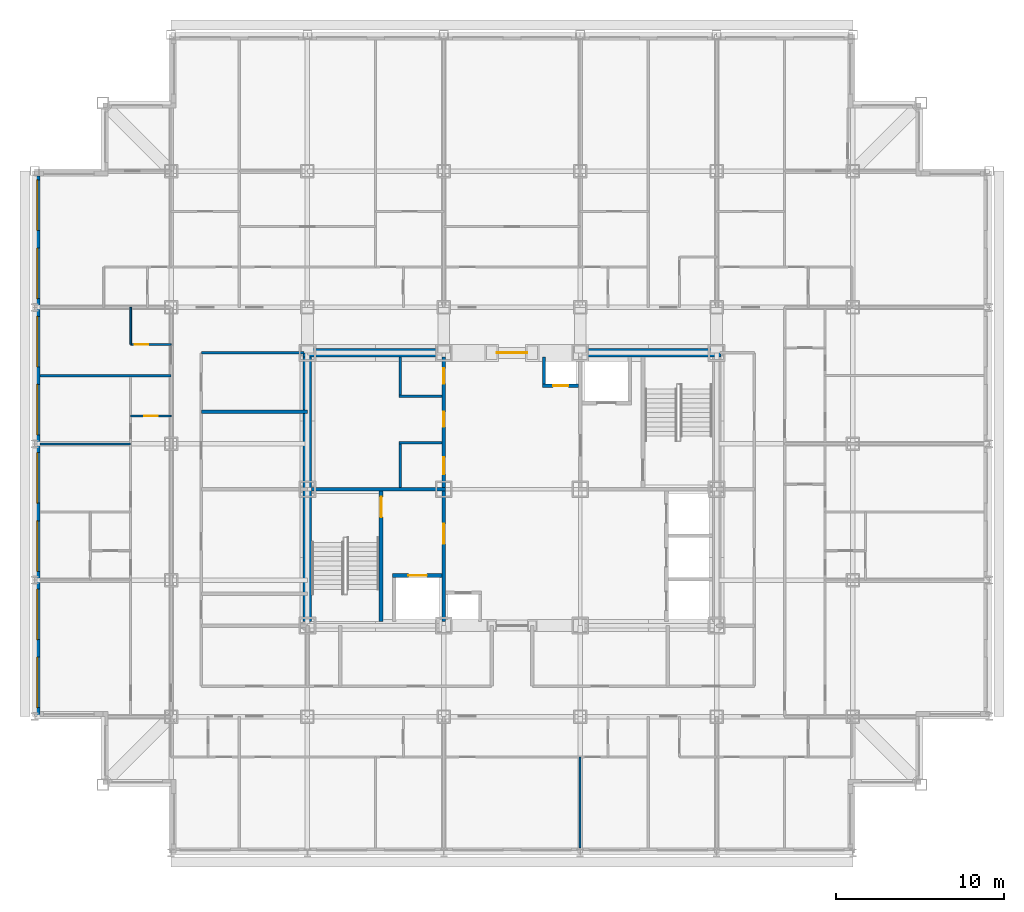
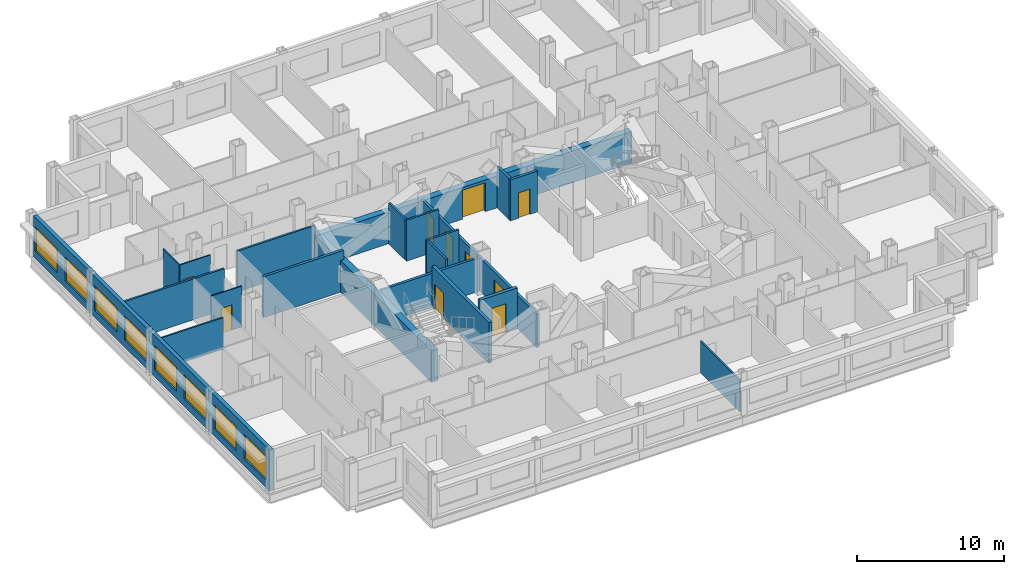
# One storey, part 6 of 12: 22 walls, 10 doors, 8 windows, 18 openings.
"""IFC4 building model written with IfcOpenShell, lengths in metres."""

import ifcopenshell
import ifcopenshell.guid

model = None  # the IFC model being written
_history = None  # IfcOwnerHistory: only IFC2X3 demands one
_inside = {}  # id of a spatial element -> (the spatial element, [elements in it])
_under = {}  # id of a project, library or spatial element -> (it, [spatial elements below it])
_declared = {}  # id of a project -> (the project, [libraries it declares])
_typed = {}  # id of a type object -> (the type object, [elements of that type])
_made_of = {}  # id of a material, layer set ... -> (it, [elements and type objects made of it])


def new_model(schema):
    """Start an empty IFC model of exactly this schema.

    Asked for "IFC4X3", IfcOpenShell would pick the latest addendum, in which some entities
    have other attributes; the version numbers below select the first issue.
    IFC2X3 requires an IfcOwnerHistory on every rooted entity: one is made here for all.
    """
    global model, _history
    if schema == "IFC4X3":
        model = ifcopenshell.file(schema_version=(4, 3, 0, 0))
    else:
        model = ifcopenshell.file(schema=schema)
    _inside.clear()
    _under.clear()
    _declared.clear()
    _typed.clear()
    _made_of.clear()
    _history = None
    if model.schema == "IFC2X3":
        org = make("IfcOrganization", Name="unknown")
        user = make(
            "IfcPersonAndOrganization",
            ThePerson=make("IfcPerson", FamilyName="unknown"),
            TheOrganization=org,
        )
        app = make(
            "IfcApplication",
            ApplicationDeveloper=org,
            Version="unknown",
            ApplicationFullName="unknown",
            ApplicationIdentifier="unknown",
        )
        _history = make(
            "IfcOwnerHistory",
            OwningUser=user,
            OwningApplication=app,
            ChangeAction="ADDED",
            CreationDate=0,
        )
    return model


def make(cls, **values):
    """One entity of the class cls with the attributes given. An attribute that is None is left unset."""
    return model.create_entity(
        cls, **{name: value for name, value in values.items() if value is not None}
    )


def rooted(cls, **values):
    """An entity with a GlobalId (a new one), such as an element, a storey or a relation."""
    return make(cls, GlobalId=ifcopenshell.guid.new(), OwnerHistory=_history, **values)


def si_unit(unit_type, name, prefix=None):
    """IfcSIUnit, for example si_unit("LENGTHUNIT", "METRE", prefix="MILLI")."""
    return make("IfcSIUnit", UnitType=unit_type, Prefix=prefix, Name=name)


def assignment(units):
    """IfcUnitAssignment: the units of a project."""
    return None if units is None else make("IfcUnitAssignment", Units=units)


def point(xyz):
    """IfcCartesianPoint."""
    return None if xyz is None else make("IfcCartesianPoint", Coordinates=xyz)


def direction(xyz):
    """IfcDirection."""
    return None if xyz is None else make("IfcDirection", DirectionRatios=xyz)


def frame(location, z_axis=None, x_axis=None):
    """IfcAxis2Placement3D, a coordinate frame: its origin and axes. An axis left out is left unset."""
    return make(
        "IfcAxis2Placement3D",
        Location=point(location),
        Axis=direction(z_axis),
        RefDirection=direction(x_axis),
    )


def frame_2d(location, x_axis=None):
    """IfcAxis2Placement2D, a coordinate frame in the plane: its origin and x axis."""
    return make(
        "IfcAxis2Placement2D", Location=point(location), RefDirection=direction(x_axis)
    )


def origin():
    """The frame at (0, 0, 0) with its axes left unset."""
    return frame((0.0, 0.0, 0.0))


def place(relative_to, where):
    """IfcLocalPlacement: puts the frame where relative to a parent placement (None: the world)."""
    return make(
        "IfcLocalPlacement", PlacementRelTo=relative_to, RelativePlacement=where
    )


def context(
    kind, dimensions, precision=None, world=None, true_north=None, identifier=None
):
    """IfcGeometricRepresentationContext, for example the 3D "Model" context."""
    return make(
        "IfcGeometricRepresentationContext",
        ContextIdentifier=identifier,
        ContextType=kind,
        CoordinateSpaceDimension=dimensions,
        Precision=precision,
        WorldCoordinateSystem=world,
        TrueNorth=true_north,
    )


def subcontext(parent, identifier, kind, view, scale=None):
    """IfcGeometricRepresentationSubContext, for example "Body" below "Model"."""
    return make(
        "IfcGeometricRepresentationSubContext",
        ContextIdentifier=identifier,
        ContextType=kind,
        ParentContext=parent,
        TargetScale=scale,
        TargetView=view,
    )


def project(units=None, contexts=None):
    """IfcProject with its units and contexts."""
    return rooted(
        "IfcProject",
        Name="project",
        RepresentationContexts=contexts,
        UnitsInContext=assignment(units),
    )


def spatial(cls, under=None, at=None, **own):
    """A site, building, storey or space (cls), placed at a placement, below another one or the project."""
    s = rooted(cls, ObjectPlacement=at, **own)
    if under is not None:
        _under.setdefault(under.id(), (under, []))[1].append(s)
    return s


def profile(cls, at=None, kind="AREA", **sizes):
    """A parametric profile (cls). Its sizes go by their IFC names, for example OverallWidth=200.0."""
    return make(cls, ProfileType=kind, Position=at, **sizes)


def rectangle(**sizes):
    """IfcRectangleProfileDef."""
    return profile("IfcRectangleProfileDef", **sizes)


def extrude(swept, where, along, depth):
    """IfcExtrudedAreaSolid: the profile swept, set in the frame where, extruded along a direction by depth."""
    return make(
        "IfcExtrudedAreaSolid",
        SweptArea=swept,
        Position=where,
        ExtrudedDirection=direction(along),
        Depth=depth,
    )


def shape(context_of_items, identifier, shape_type, items):
    """IfcShapeRepresentation: the items that make up one representation, for example the "Body"."""
    return make(
        "IfcShapeRepresentation",
        ContextOfItems=context_of_items,
        RepresentationIdentifier=identifier,
        RepresentationType=shape_type,
        Items=items,
    )


def material(Name=None, Category=None):
    """IfcMaterial."""
    return make("IfcMaterial", Name=Name, Category=Category)


def layer(
    of_material, thickness, ventilated=None, Name=None, Category=None, Priority=None
):
    """IfcMaterialLayer: one layer of a wall or slab, of a material (None: an air gap)."""
    return make(
        "IfcMaterialLayer",
        Material=of_material,
        LayerThickness=thickness,
        IsVentilated=ventilated,
        Name=Name,
        Category=Category,
        Priority=Priority,
    )


def layer_set(layers, Name=None):
    """IfcMaterialLayerSet."""
    return make("IfcMaterialLayerSet", MaterialLayers=layers, LayerSetName=Name)


def made_of(thing, what):
    """Note that an element or type object is made of a material, layer set ...; save() writes the relation."""
    if what is not None:
        _made_of.setdefault(what.id(), (what, []))[1].append(thing)
    return thing


def type_object(cls, material=None, **own):
    """A type object (cls), such as IfcWallType, which elements share."""
    return made_of(rooted(cls, **own), material)


def element(
    cls,
    number,
    at=None,
    inside=None,
    cuts=None,
    type_object=None,
    material=None,
    context=None,
    identifier="Body",
    shape_type=None,
    held_by="IfcProductDefinitionShape",
    body=None,
    shapes=None,
    **own,
):
    """One element of the class cls, such as IfcWall. Its Tag is "e" and its number.

    at: its placement. inside: the storey or other place that contains it. cuts: it is an
    opening in that element (IfcRelVoidsElement). A single representation is given by context,
    identifier, shape_type and body (its items); several are given by shapes. held_by: the class
    of the entity that holds the representations. save() writes the other relations.
    """
    e = rooted(cls, Tag="e%d" % number, ObjectPlacement=at, **own)
    if body is not None:
        shapes = [shape(context, identifier, shape_type, body)]
    if shapes is not None:
        e.Representation = make(held_by, Representations=shapes)
    if inside is not None:
        _inside.setdefault(inside.id(), (inside, []))[1].append(e)
    if cuts is not None:
        rooted(
            "IfcRelVoidsElement", RelatingBuildingElement=cuts, RelatedOpeningElement=e
        )
    if type_object is not None:
        _typed.setdefault(type_object.id(), (type_object, []))[1].append(e)
    return made_of(e, material)


def fill(opening, filler):
    """IfcRelFillsElement: the door or window that sits in an opening."""
    return rooted(
        "IfcRelFillsElement",
        RelatingOpeningElement=opening,
        RelatedBuildingElement=filler,
    )


def aggregate(whole, parts):
    """IfcRelAggregates: a whole, such as a stair, and the parts it consists of."""
    return rooted("IfcRelAggregates", RelatingObject=whole, RelatedObjects=parts)


def save(model, path):
    """Write the relations noted so far, then the file.

    IfcRelAggregates (storeys below a building ...), IfcRelContainedInSpatialStructure (elements
    in a storey), IfcRelDefinesByType, IfcRelAssociatesMaterial and IfcRelDeclares: one each for
    every whole, place, type object, material and project.
    """
    for whole, parts in _under.values():
        aggregate(whole, parts)
    for where, things in _inside.values():
        rooted(
            "IfcRelContainedInSpatialStructure",
            RelatedElements=things,
            RelatingStructure=where,
        )
    for kind, things in _typed.values():
        rooted("IfcRelDefinesByType", RelatedObjects=things, RelatingType=kind)
    for what, things in _made_of.values():
        rooted("IfcRelAssociatesMaterial", RelatedObjects=things, RelatingMaterial=what)
    for by, libraries in _declared.values():
        rooted("IfcRelDeclares", RelatingContext=by, RelatedDefinitions=libraries)
    model.write(path)


model = new_model("IFC4")

# Units and contexts
model_context = context("Model", 3, precision=1e-05, world=origin(), true_north=direction((0.0, 1.0)))
body_context = subcontext(model_context, "Body", "Model", "MODEL_VIEW")
ifc_project = project(units=[si_unit("LENGTHUNIT", "METRE"), si_unit("AREAUNIT", "SQUARE_METRE"), si_unit("VOLUMEUNIT", "CUBIC_METRE"), si_unit("PLANEANGLEUNIT", "RADIAN"), si_unit("MASSUNIT", "GRAM", prefix="KILO")], contexts=[model_context])

# Site, building, storey
site_placement = place(None, origin())
site = spatial("IfcSite", under=ifc_project, at=site_placement, CompositionType="ELEMENT")
building_placement = place(site_placement, origin())
building = spatial("IfcBuilding", under=site, at=building_placement, Name="Kopane Lantern Tower", CompositionType="ELEMENT")
storey_placement = place(building_placement, frame((0.0, 0.0, 228.0)))
storey = spatial("IfcBuildingStorey", under=building, at=storey_placement, Name="L59", CompositionType="ELEMENT", Elevation=228.0)

# Walls
ifc_material_1 = material(Name="Gypsum board on steel studs", Category="steel")
ifc_layer_1 = layer(ifc_material_1, 0.1201171875)
ifc_layer_set_1 = layer_set([ifc_layer_1], Name="APARTMENT INTERNAL WALL 120")
wall_type_1 = type_object("IfcWallType", Name="APARTMENT INTERNAL WALL 120", PredefinedType="PARTITIONING", material=ifc_layer_set_1)
for number, where, z_axis, x_axis, name in (
    (1, (32.39990234375, 16.5, 0.0), (0.0, 0.0, 1.0), (0.0, -1.0, 0.0), "Apartment Internal Wall 120 L59"),
    (2, (5.699951171875, 35.10009765625, 0.0), (0.0, 0.0, 1.0), (-1.0, 0.0, 0.0), "Apartment Internal Wall 120 L59"),
):
    element("IfcWall", number, at=place(storey_placement, frame(where, z_axis=z_axis, x_axis=x_axis)), inside=storey, type_object=wall_type_1, Name=name, PredefinedType="PARTITIONING", context=body_context, shape_type="SweptSolid", body=[
        extrude(rectangle(XDim=5.39990234375, YDim=0.1201171875, at=frame_2d((2.699951171875, 0.0))), origin(), (0.0, 0.0, 1.0), 2.627685546875),
    ])

# Wall, opening, door
ifc_material_2 = material(Name="Moisture-resistant board on steel studs", Category="steel")
ifc_layer_2 = layer(ifc_material_2, 0.10009765625)
ifc_layer_set_2 = layer_set([ifc_layer_2], Name="BATHROOM WALL 100")
wall_type_2 = type_object("IfcWallType", Name="BATHROOM WALL 100", PredefinedType="PARTITIONING", material=ifc_layer_set_2)
wall_1_placement = place(storey_placement, frame((8.10009765625, 36.75, 0.0), z_axis=(0.0, 0.0, 1.0), x_axis=(-1.0, 0.0, 0.0)))
wall_1 = element("IfcWall", 3, at=wall_1_placement, inside=storey, type_object=wall_type_2, Name="Bathroom Wall 100 L59", PredefinedType="PARTITIONING", context=body_context, shape_type="SweptSolid", body=[
    extrude(rectangle(XDim=2.400146484375, YDim=0.10009765625, at=frame_2d((1.2001953125, 0.0))), origin(), (0.0, 0.0, 1.0), 3.389892578125),
])
opening_1_placement = place(wall_1_placement, frame((0.800048828125, 0.0, 0.0)))
opening_1 = element("IfcOpeningElement", 4, at=opening_1_placement, cuts=wall_1, Name="Opening L59-032", PredefinedType="OPENING", context=body_context, shape_type="SweptSolid", body=[
    extrude(rectangle(XDim=0.800048828125, YDim=2.10009765625, at=frame_2d((0.39990234375, 1.050048828125))), frame((0.0, 0.06005859375, 0.0), z_axis=(0.0, -1.0, 0.0), x_axis=(1.0, 0.0, 0.0)), (0.0, 0.0, 1.0), 0.1201171875),
])
ifc_material_3 = material(Name="Timber door set", Category="wood")
door_type_1 = type_object("IfcDoorType", Name="DOOR D2 800x2100", OperationType="SINGLE_SWING_LEFT", PredefinedType="DOOR", material=ifc_material_3)
door_1_placement = place(opening_1_placement, origin())
door_1 = element("IfcDoor", 5, at=door_1_placement, inside=storey, type_object=door_type_1, Name="Door L59-032", OperationType="SINGLE_SWING_RIGHT", OverallHeight=2.10009765625, OverallWidth=0.800048828125, PredefinedType="DOOR", context=body_context, shape_type="SweptSolid", body=[
    extrude(rectangle(XDim=0.800048828125, YDim=2.10009765625, at=frame_2d((0.39990234375, 1.050048828125))), frame((0.0, 0.02490234375, 0.0), z_axis=(0.0, -1.0, 0.0), x_axis=(1.0, 0.0, 0.0)), (0.0, 0.0, 1.0), 0.050048828125),
])
fill(opening_1, door_1)

# Wall
wall_2_placement = place(storey_placement, frame((5.699951171875, 41.0, 0.0), z_axis=(0.0, 0.0, 1.0), x_axis=(0.0, 1.0, 0.0)))
element("IfcWall", 6, at=wall_2_placement, inside=storey, type_object=wall_type_2, Name="Bathroom Wall 100 L59", PredefinedType="PARTITIONING", context=body_context, shape_type="SweptSolid", body=[
    extrude(rectangle(XDim=2.199951171875, YDim=0.10009765625, at=frame_2d((1.10009765625, 0.0))), origin(), (0.0, 0.0, 1.0), 3.389892578125),
])

# Wall, opening, door
wall_3_placement = place(storey_placement, frame((8.10009765625, 41.0, 0.0), z_axis=(0.0, 0.0, 1.0), x_axis=(-1.0, 0.0, 0.0)))
wall_3 = element("IfcWall", 7, at=wall_3_placement, inside=storey, type_object=wall_type_2, Name="Bathroom Wall 100 L59", PredefinedType="PARTITIONING", context=body_context, shape_type="SweptSolid", body=[
    extrude(rectangle(XDim=2.400146484375, YDim=0.10009765625, at=frame_2d((1.2001953125, 0.0))), origin(), (0.0, 0.0, 1.0), 3.389892578125),
])
opening_2_placement = place(wall_3_placement, frame((1.35009765625, 0.0, 0.0)))
opening_2 = element("IfcOpeningElement", 8, at=opening_2_placement, cuts=wall_3, Name="Opening L59-039", PredefinedType="OPENING", context=body_context, shape_type="SweptSolid", body=[
    extrude(rectangle(XDim=0.800048828125, YDim=2.10009765625, at=frame_2d((0.39990234375, 1.050048828125))), frame((0.0, 0.06005859375, 0.0), z_axis=(0.0, -1.0, 0.0), x_axis=(1.0, 0.0, 0.0)), (0.0, 0.0, 1.0), 0.1201171875),
])
door_2_placement = place(opening_2_placement, origin())
door_2 = element("IfcDoor", 9, at=door_2_placement, inside=storey, type_object=door_type_1, Name="Door L59-039", OperationType="SINGLE_SWING_LEFT", OverallHeight=2.10009765625, OverallWidth=0.800048828125, PredefinedType="DOOR", context=body_context, shape_type="SweptSolid", body=[
    extrude(rectangle(XDim=0.800048828125, YDim=2.10009765625, at=frame_2d((0.39990234375, 1.050048828125))), frame((0.0, 0.02490234375, 0.0), z_axis=(0.0, -1.0, 0.0), x_axis=(1.0, 0.0, 0.0)), (0.0, 0.0, 1.0), 0.050048828125),
])
fill(opening_2, door_2)

ifc_material_4 = material(Name="Gypsum shaft wall EI 120", Category="gypsum")
ifc_layer_3 = layer(ifc_material_4, 0.5)
ifc_layer_set_3 = layer_set([ifc_layer_3], Name="CORE PERIMETER WALL 500 EI 120")
wall_type_3 = type_object("IfcWallType", Name="CORE PERIMETER WALL 500 EI 120", PredefinedType="SOLIDWALL", material=ifc_layer_set_3)
wall_4_placement = place(storey_placement, frame((15.949951171875, 40.5, 0.0), z_axis=(0.0, 0.0, 1.0), x_axis=(1.0, 0.0, 0.0)))
wall_4 = element("IfcWall", 10, at=wall_4_placement, inside=storey, type_object=wall_type_3, Name="Core shaft wall L59 PN", PredefinedType="SOLIDWALL", context=body_context, shape_type="SweptSolid", body=[
    extrude(rectangle(XDim=24.800048828125, YDim=0.5, at=frame_2d((12.39990234375, 0.0))), origin(), (0.0, 0.0, 1.0), 2.627685546875),
])
opening_3_placement = place(wall_4_placement, frame((11.5, 0.0, 0.0)))
opening_3 = element("IfcOpeningElement", 11, at=opening_3_placement, cuts=wall_4, Name="Opening 59.CE-N", PredefinedType="OPENING", context=body_context, shape_type="SweptSolid", body=[
    extrude(rectangle(XDim=1.800048828125, YDim=2.39990234375, at=frame_2d((0.89990234375, 1.199951171875))), frame((0.0, 0.260009765625, 0.0), z_axis=(0.0, -1.0, 0.0), x_axis=(1.0, 0.0, 0.0)), (0.0, 0.0, 1.0), 0.52001953125),
])
ifc_material_5 = material(Name="Steel door set", Category="steel")
door_type_2 = type_object("IfcDoorType", Name="CORE ENTRY DOOR 1800x2400 FD60S", OperationType="DOUBLE_DOOR_SINGLE_SWING", PredefinedType="DOOR", material=ifc_material_5)
door_3_placement = place(opening_3_placement, origin())
door_3 = element("IfcDoor", 12, at=door_3_placement, inside=storey, type_object=door_type_2, Name="Core entry door L59 north", OperationType="DOUBLE_DOOR_SINGLE_SWING", OverallHeight=2.39990234375, OverallWidth=1.800048828125, PredefinedType="DOOR", context=body_context, shape_type="SweptSolid", body=[
    extrude(rectangle(XDim=1.800048828125, YDim=2.39990234375, at=frame_2d((0.89990234375, 1.199951171875))), frame((0.0, 0.02490234375, 0.0), z_axis=(0.0, -1.0, 0.0), x_axis=(1.0, 0.0, 0.0)), (0.0, 0.0, 1.0), 0.050048828125),
])
fill(opening_3, door_3)

# Walls
wall_5_placement = place(storey_placement, frame((16.199951171875, 24.550048828125, 0.0), z_axis=(0.0, 0.0, 1.0), x_axis=(0.0, 1.0, 0.0)))
element("IfcWall", 13, at=wall_5_placement, inside=storey, type_object=wall_type_3, Name="Core shaft wall L59 PW", PredefinedType="SOLIDWALL", context=body_context, shape_type="SweptSolid", body=[
    extrude(rectangle(XDim=15.699951171875, YDim=0.5, at=frame_2d((7.85009765625, 0.0))), origin(), (0.0, 0.0, 1.0), 2.627685546875),
])
ifc_material_6 = material(Name="Gypsum partition EI 60", Category="gypsum")
ifc_layer_4 = layer(ifc_material_6, 0.14990234375)
ifc_layer_set_4 = layer_set([ifc_layer_4], Name="CORE ROOM PARTITION 150 EI 60")
wall_type_4 = type_object("IfcWallType", Name="CORE ROOM PARTITION 150 EI 60", PredefinedType="PARTITIONING", material=ifc_layer_set_4)
for number, where, z_axis, x_axis, name in (
    (14, (21.64990234375, 35.175048828125, 0.0), (0.0, 0.0, 1.0), (1.0, 0.0, 0.0), "Core room partition L59 WW1"),
    (15, (21.64990234375, 37.925048828125, 0.0), (0.0, 0.0, 1.0), (1.0, 0.0, 0.0), "Core room partition L59 WW2"),
):
    element("IfcWall", number, at=place(storey_placement, frame(where, z_axis=z_axis, x_axis=x_axis)), inside=storey, type_object=wall_type_4, Name=name, PredefinedType="PARTITIONING", context=body_context, shape_type="SweptSolid", body=[
        extrude(rectangle(XDim=2.550048828125, YDim=0.14990234375, at=frame_2d((1.27490234375, 0.0))), origin(), (0.0, 0.0, 1.0), 3.389892578125),
    ])
wall_6_placement = place(storey_placement, frame((21.72509765625, 32.5, 0.0), z_axis=(0.0, 0.0, 1.0), x_axis=(0.0, 1.0, 0.0)))
element("IfcWall", 16, at=wall_6_placement, inside=storey, type_object=wall_type_4, Name="Core room partition L59 WWB0", PredefinedType="PARTITIONING", context=body_context, shape_type="SweptSolid", body=[
    extrude(rectangle(XDim=2.60009765625, YDim=0.14990234375, at=frame_2d((1.300048828125, 0.0))), origin(), (0.0, 0.0, 1.0), 3.389892578125),
])
wall_7_placement = place(storey_placement, frame((21.72509765625, 38.0, 0.0), z_axis=(0.0, 0.0, 1.0), x_axis=(0.0, 1.0, 0.0)))
element("IfcWall", 17, at=wall_7_placement, inside=storey, type_object=wall_type_4, Name="Core room partition L59 WWB1", PredefinedType="PARTITIONING", context=body_context, shape_type="SweptSolid", body=[
    extrude(rectangle(XDim=2.25, YDim=0.14990234375, at=frame_2d((1.125, 0.0))), origin(), (0.0, 0.0, 1.0), 3.389892578125),
])

# Wall, openings, doors
ifc_material_7 = material(Name="Gypsum partition EI 60", Category="gypsum")
ifc_layer_5 = layer(ifc_material_7, 0.199951171875)
ifc_layer_set_5 = layer_set([ifc_layer_5], Name="CORE ROOM WALL 200 EI 60")
wall_type_5 = type_object("IfcWallType", Name="CORE ROOM WALL 200 EI 60", PredefinedType="PARTITIONING", material=ifc_layer_set_5)
wall_8_placement = place(storey_placement, frame((24.300048828125, 32.5, 0.0), z_axis=(0.0, 0.0, 1.0), x_axis=(0.0, 1.0, 0.0)))
wall_8 = element("IfcWall", 18, at=wall_8_placement, inside=storey, type_object=wall_type_5, Name="Core room wall L59 XW", PredefinedType="PARTITIONING", context=body_context, shape_type="SweptSolid", body=[
    extrude(rectangle(XDim=7.75, YDim=0.199951171875, at=frame_2d((3.875, 0.0))), origin(), (0.0, 0.0, 1.0), 2.77783203125),
])
opening_4_placement = place(wall_8_placement, frame((0.800048828125, 0.0, 0.0)))
opening_4 = element("IfcOpeningElement", 19, at=opening_4_placement, cuts=wall_8, Name="Opening 59.C30", PredefinedType="OPENING", context=body_context, shape_type="SweptSolid", body=[
    extrude(rectangle(XDim=1.0, YDim=2.10009765625, at=frame_2d((0.5, 1.050048828125))), frame((0.0, 0.10986328125, 0.0), z_axis=(0.0, -1.0, 0.0), x_axis=(1.0, 0.0, 0.0)), (0.0, 0.0, 1.0), 0.219970703125),
])
opening_5_placement = place(wall_8_placement, frame((3.60009765625, 0.0, 0.0)))
opening_5 = element("IfcOpeningElement", 20, at=opening_5_placement, cuts=wall_8, Name="Opening 59.C31", PredefinedType="OPENING", context=body_context, shape_type="SweptSolid", body=[
    extrude(rectangle(XDim=0.89990234375, YDim=2.10009765625, at=frame_2d((0.449951171875, 1.050048828125))), frame((0.0, 0.10986328125, 0.0), z_axis=(0.0, -1.0, 0.0), x_axis=(1.0, 0.0, 0.0)), (0.0, 0.0, 1.0), 0.219970703125),
])
opening_6_placement = place(wall_8_placement, frame((6.175048828125, 0.0, 0.0)))
opening_6 = element("IfcOpeningElement", 21, at=opening_6_placement, cuts=wall_8, Name="Opening 59.C32", PredefinedType="OPENING", context=body_context, shape_type="SweptSolid", body=[
    extrude(rectangle(XDim=0.89990234375, YDim=2.10009765625, at=frame_2d((0.449951171875, 1.050048828125))), frame((0.0, 0.10986328125, 0.0), z_axis=(0.0, -1.0, 0.0), x_axis=(1.0, 0.0, 0.0)), (0.0, 0.0, 1.0), 0.219970703125),
])
ifc_material_8 = material(Name="Steel door set", Category="steel")
door_type_3 = type_object("IfcDoorType", Name="CORE ROOM DOOR 1000x2100 FD30S", OperationType="SINGLE_SWING_RIGHT", PredefinedType="DOOR", material=ifc_material_8)
door_4_placement = place(opening_4_placement, origin())
door_4 = element("IfcDoor", 22, at=door_4_placement, inside=storey, type_object=door_type_3, Name="Door Concierge pantry L59", OperationType="SINGLE_SWING_LEFT", OverallHeight=2.10009765625, OverallWidth=1.0, PredefinedType="DOOR", context=body_context, shape_type="SweptSolid", body=[
    extrude(rectangle(XDim=1.0, YDim=2.10009765625, at=frame_2d((0.5, 1.050048828125))), frame((0.0, 0.02490234375, 0.0), z_axis=(0.0, -1.0, 0.0), x_axis=(1.0, 0.0, 0.0)), (0.0, 0.0, 1.0), 0.050048828125),
])
fill(opening_4, door_4)
ifc_material_9 = material(Name="Steel door set", Category="steel")
door_type_4 = type_object("IfcDoorType", Name="CORE ROOM DOOR 900x2100 FD60", OperationType="SINGLE_SWING_LEFT", PredefinedType="DOOR", material=ifc_material_9)
door_5_placement = place(opening_5_placement, origin())
door_5 = element("IfcDoor", 23, at=door_5_placement, inside=storey, type_object=door_type_4, Name="Door Residents storage L59", OperationType="SINGLE_SWING_RIGHT", OverallHeight=2.10009765625, OverallWidth=0.89990234375, PredefinedType="DOOR", context=body_context, shape_type="SweptSolid", body=[
    extrude(rectangle(XDim=0.89990234375, YDim=2.10009765625, at=frame_2d((0.449951171875, 1.050048828125))), frame((0.0, 0.02490234375, 0.0), z_axis=(0.0, -1.0, 0.0), x_axis=(1.0, 0.0, 0.0)), (0.0, 0.0, 1.0), 0.050048828125),
])
fill(opening_5, door_5)
door_6_placement = place(opening_6_placement, origin())
door_6 = element("IfcDoor", 24, at=door_6_placement, inside=storey, type_object=door_type_4, Name="Door Cleaner store L59", OperationType="SINGLE_SWING_LEFT", OverallHeight=2.10009765625, OverallWidth=0.89990234375, PredefinedType="DOOR", context=body_context, shape_type="SweptSolid", body=[
    extrude(rectangle(XDim=0.89990234375, YDim=2.10009765625, at=frame_2d((0.449951171875, 1.050048828125))), frame((0.0, 0.02490234375, 0.0), z_axis=(0.0, -1.0, 0.0), x_axis=(1.0, 0.0, 0.0)), (0.0, 0.0, 1.0), 0.050048828125),
])
fill(opening_6, door_6)

# Wall, opening, door
ifc_material_10 = material(Name="Gypsum shaft wall EI 120", Category="gypsum")
ifc_layer_6 = layer(ifc_material_10, 0.25)
ifc_layer_set_6 = layer_set([ifc_layer_6], Name="CORE SHAFT WALL 250 EI 120")
wall_type_6 = type_object("IfcWallType", Name="CORE SHAFT WALL 250 EI 120", PredefinedType="SOLIDWALL", material=ifc_layer_set_6)
wall_9_placement = place(storey_placement, frame((20.574951171875, 24.550048828125, 0.0), z_axis=(0.0, 0.0, 1.0), x_axis=(0.0, 1.0, 0.0)))
wall_9 = element("IfcWall", 25, at=wall_9_placement, inside=storey, type_object=wall_type_6, Name="Core shaft wall L59 XST1", PredefinedType="SOLIDWALL", context=body_context, shape_type="SweptSolid", body=[
    extrude(rectangle(XDim=7.75, YDim=0.25, at=frame_2d((3.875, 0.0))), origin(), (0.0, 0.0, 1.0), 3.389892578125),
])
opening_7_placement = place(wall_9_placement, frame((6.199951171875, 0.0, 0.0)))
opening_7 = element("IfcOpeningElement", 26, at=opening_7_placement, cuts=wall_9, Name="Opening 59.SD1", PredefinedType="OPENING", context=body_context, shape_type="SweptSolid", body=[
    extrude(rectangle(XDim=1.199951171875, YDim=2.10009765625, at=frame_2d((0.60009765625, 1.050048828125))), frame((0.0, 0.135009765625, 0.0), z_axis=(0.0, -1.0, 0.0), x_axis=(1.0, 0.0, 0.0)), (0.0, 0.0, 1.0), 0.27001953125),
])
ifc_material_11 = material(Name="Steel door set", Category="steel")
door_type_5 = type_object("IfcDoorType", Name="STAIR DOOR 1200x2100 FD60S", OperationType="SINGLE_SWING_LEFT", PredefinedType="DOOR", material=ifc_material_11)
door_7_placement = place(opening_7_placement, origin())
door_7 = element("IfcDoor", 27, at=door_7_placement, inside=storey, type_object=door_type_5, Name="Stair door ST1 L59", OperationType="SINGLE_SWING_LEFT", OverallHeight=2.10009765625, OverallWidth=1.199951171875, PredefinedType="DOOR", context=body_context, shape_type="SweptSolid", body=[
    extrude(rectangle(XDim=1.199951171875, YDim=2.10009765625, at=frame_2d((0.60009765625, 1.050048828125))), frame((0.0, 0.02490234375, 0.0), z_axis=(0.0, -1.0, 0.0), x_axis=(1.0, 0.0, 0.0)), (0.0, 0.0, 1.0), 0.050048828125),
])
fill(opening_7, door_7)

wall_10_placement = place(storey_placement, frame((21.25, 27.27490234375, 0.0), z_axis=(0.0, 0.0, 1.0), x_axis=(1.0, 0.0, 0.0)))
wall_10 = element("IfcWall", 28, at=wall_10_placement, inside=storey, type_object=wall_type_6, Name="Core shaft wall L59 YLF1", PredefinedType="SOLIDWALL", context=body_context, shape_type="SweptSolid", body=[
    extrude(rectangle(XDim=2.949951171875, YDim=0.25, at=frame_2d((1.47509765625, 0.0))), origin(), (0.0, 0.0, 1.0), 3.389892578125),
])
opening_8_placement = place(wall_10_placement, frame((0.949951171875, 0.0, 0.0)))
opening_8 = element("IfcOpeningElement", 29, at=opening_8_placement, cuts=wall_10, Name="Opening 59.LD-LF1", PredefinedType="OPENING", context=body_context, shape_type="SweptSolid", body=[
    extrude(rectangle(XDim=1.10009765625, YDim=2.39990234375, at=frame_2d((0.550048828125, 1.199951171875))), frame((0.0, 0.135009765625, 0.0), z_axis=(0.0, -1.0, 0.0), x_axis=(1.0, 0.0, 0.0)), (0.0, 0.0, 1.0), 0.27001953125),
])
ifc_material_12 = material(Name="Steel door set", Category="steel")
door_type_6 = type_object("IfcDoorType", Name="LIFT LANDING DOOR 1100x2400 FD60", OperationType="DOUBLE_DOOR_SLIDING", PredefinedType="DOOR", material=ifc_material_12)
door_8_placement = place(opening_8_placement, origin())
door_8 = element("IfcDoor", 30, at=door_8_placement, inside=storey, type_object=door_type_6, Name="Landing door LF1 L59", OperationType="DOUBLE_DOOR_SLIDING", OverallHeight=2.39990234375, OverallWidth=1.10009765625, PredefinedType="DOOR", context=body_context, shape_type="SweptSolid", body=[
    extrude(rectangle(XDim=1.10009765625, YDim=2.39990234375, at=frame_2d((0.550048828125, 1.199951171875))), frame((0.0, 0.02490234375, 0.0), z_axis=(0.0, -1.0, 0.0), x_axis=(1.0, 0.0, 0.0)), (0.0, 0.0, 1.0), 0.050048828125),
])
fill(opening_8, door_8)

# Walls
ifc_material_13 = material(Name="Gypsum board on steel studs", Category="steel")
ifc_layer_7 = layer(ifc_material_13, 0.14990234375)
ifc_layer_set_7 = layer_set([ifc_layer_7], Name="CORRIDOR WALL 150 EI 60")
wall_type_7 = type_object("IfcWallType", Name="CORRIDOR WALL 150 EI 60", PredefinedType="PARTITIONING", material=ifc_layer_set_7)
wall_11_placement = place(storey_placement, frame((16.0, 40.5, 0.0), z_axis=(0.0, 0.0, 1.0), x_axis=(-1.0, 0.0, 0.0)))
element("IfcWall", 31, at=wall_11_placement, inside=storey, type_object=wall_type_7, Name="Corridor Wall 150 Ei 60 L59", PredefinedType="PARTITIONING", context=body_context, shape_type="SweptSolid", body=[
    extrude(rectangle(XDim=6.10009765625, YDim=0.14990234375, at=frame_2d((3.050048828125, 0.0))), origin(), (0.0, 0.0, 1.0), 3.389892578125),
])
ifc_material_14 = material(Name="Gypsum board on steel studs", Category="steel")
ifc_layer_8 = layer(ifc_material_14, 0.14990234375)
ifc_layer_set_8 = layer_set([ifc_layer_8], Name="DEMISING WALL 150 EI 60")
wall_type_8 = type_object("IfcWallType", Name="DEMISING WALL 150 EI 60", PredefinedType="PARTITIONING", material=ifc_layer_set_8)
wall_12_placement = place(storey_placement, frame((8.10009765625, 39.14990234375, 0.0), z_axis=(0.0, 0.0, 1.0), x_axis=(-1.0, 0.0, 0.0)))
element("IfcWall", 32, at=wall_12_placement, inside=storey, type_object=wall_type_8, Name="Demising Wall 150 Ei 60 L59", PredefinedType="PARTITIONING", context=body_context, shape_type="SweptSolid", body=[
    extrude(rectangle(XDim=7.800048828125, YDim=0.14990234375, at=frame_2d((3.89990234375, 0.0))), origin(), (0.0, 0.0, 1.0), 3.389892578125),
])

# Wall, openings, windows
ifc_material_15 = material(Name="Terracotta rainscreen on light steel framing", Category="masonry")
ifc_layer_9 = layer(ifc_material_15, 0.300048828125)
ifc_layer_set_9 = layer_set([ifc_layer_9], Name="EXTERNAL WALL EW1 300 TERRACOTTA")
wall_type_9 = type_object("IfcWallType", Name="EXTERNAL WALL EW1 300 TERRACOTTA", PredefinedType="SOLIDWALL", material=ifc_layer_set_9)
wall_13_placement = place(storey_placement, frame((0.14990234375, 51.0, 0.0), z_axis=(0.0, 0.0, 1.0), x_axis=(0.0, -1.0, 0.0)))
wall_13 = element("IfcWall", 33, at=wall_13_placement, inside=storey, type_object=wall_type_9, Name="External wall W L59", PredefinedType="SOLIDWALL", context=body_context, shape_type="SweptSolid", body=[
    extrude(rectangle(XDim=32.10009765625, YDim=0.300048828125, at=frame_2d((16.050048828125, 0.0))), origin(), (0.0, 0.0, 1.0), 3.389892578125),
])
opening_9_placement = place(wall_13_placement, frame((0.22509765625, 0.0, 0.60009765625)))
opening_9 = element("IfcOpeningElement", 34, at=opening_9_placement, cuts=wall_13, Name="Opening WR300200", PredefinedType="OPENING", context=body_context, shape_type="SweptSolid", body=[
    extrude(rectangle(XDim=3.0, YDim=2.0, at=frame_2d((1.5, 1.0))), frame((0.0, 0.159912109375, 0.0), z_axis=(0.0, -1.0, 0.0), x_axis=(1.0, 0.0, 0.0)), (0.0, 0.0, 1.0), 0.320068359375),
])
opening_10_placement = place(wall_13_placement, frame((4.27490234375, 0.0, 0.60009765625)))
opening_10 = element("IfcOpeningElement", 35, at=opening_10_placement, cuts=wall_13, Name="Opening WR300200", PredefinedType="OPENING", context=body_context, shape_type="SweptSolid", body=[
    extrude(rectangle(XDim=3.0, YDim=2.0, at=frame_2d((1.5, 1.0))), frame((0.0, 0.159912109375, 0.0), z_axis=(0.0, -1.0, 0.0), x_axis=(1.0, 0.0, 0.0)), (0.0, 0.0, 1.0), 0.320068359375),
])
opening_11_placement = place(wall_13_placement, frame((8.324951171875, 0.0, 0.60009765625)))
opening_11 = element("IfcOpeningElement", 36, at=opening_11_placement, cuts=wall_13, Name="Opening WR300200", PredefinedType="OPENING", context=body_context, shape_type="SweptSolid", body=[
    extrude(rectangle(XDim=3.0, YDim=2.0, at=frame_2d((1.5, 1.0))), frame((0.0, 0.159912109375, 0.0), z_axis=(0.0, -1.0, 0.0), x_axis=(1.0, 0.0, 0.0)), (0.0, 0.0, 1.0), 0.320068359375),
])
opening_12_placement = place(wall_13_placement, frame((12.375, 0.0, 0.60009765625)))
opening_12 = element("IfcOpeningElement", 37, at=opening_12_placement, cuts=wall_13, Name="Opening WR300200", PredefinedType="OPENING", context=body_context, shape_type="SweptSolid", body=[
    extrude(rectangle(XDim=3.0, YDim=2.0, at=frame_2d((1.5, 1.0))), frame((0.0, 0.159912109375, 0.0), z_axis=(0.0, -1.0, 0.0), x_axis=(1.0, 0.0, 0.0)), (0.0, 0.0, 1.0), 0.320068359375),
])
opening_13_placement = place(wall_13_placement, frame((16.425048828125, 0.0, 0.60009765625)))
opening_13 = element("IfcOpeningElement", 38, at=opening_13_placement, cuts=wall_13, Name="Opening WR300200", PredefinedType="OPENING", context=body_context, shape_type="SweptSolid", body=[
    extrude(rectangle(XDim=3.0, YDim=2.0, at=frame_2d((1.5, 1.0))), frame((0.0, 0.159912109375, 0.0), z_axis=(0.0, -1.0, 0.0), x_axis=(1.0, 0.0, 0.0)), (0.0, 0.0, 1.0), 0.320068359375),
])
opening_14_placement = place(wall_13_placement, frame((20.47509765625, 0.0, 0.60009765625)))
opening_14 = element("IfcOpeningElement", 39, at=opening_14_placement, cuts=wall_13, Name="Opening WR300200", PredefinedType="OPENING", context=body_context, shape_type="SweptSolid", body=[
    extrude(rectangle(XDim=3.0, YDim=2.0, at=frame_2d((1.5, 1.0))), frame((0.0, 0.159912109375, 0.0), z_axis=(0.0, -1.0, 0.0), x_axis=(1.0, 0.0, 0.0)), (0.0, 0.0, 1.0), 0.320068359375),
])
opening_15_placement = place(wall_13_placement, frame((24.52490234375, 0.0, 0.60009765625)))
opening_15 = element("IfcOpeningElement", 40, at=opening_15_placement, cuts=wall_13, Name="Opening WR300200", PredefinedType="OPENING", context=body_context, shape_type="SweptSolid", body=[
    extrude(rectangle(XDim=3.0, YDim=2.0, at=frame_2d((1.5, 1.0))), frame((0.0, 0.159912109375, 0.0), z_axis=(0.0, -1.0, 0.0), x_axis=(1.0, 0.0, 0.0)), (0.0, 0.0, 1.0), 0.320068359375),
])
opening_16_placement = place(wall_13_placement, frame((28.574951171875, 0.0, 0.60009765625)))
opening_16 = element("IfcOpeningElement", 41, at=opening_16_placement, cuts=wall_13, Name="Opening WR300200", PredefinedType="OPENING", context=body_context, shape_type="SweptSolid", body=[
    extrude(rectangle(XDim=3.0, YDim=2.0, at=frame_2d((1.5, 1.0))), frame((0.0, 0.159912109375, 0.0), z_axis=(0.0, -1.0, 0.0), x_axis=(1.0, 0.0, 0.0)), (0.0, 0.0, 1.0), 0.320068359375),
])
ifc_material_16 = material(Name="Aluminium and clear glass", Category="aluminium")
window_type = type_object("IfcWindowType", Name="RIBBON WINDOW WR300200 3000x2000", PartitioningType="SINGLE_PANEL", PredefinedType="WINDOW", material=ifc_material_16)
window_1_placement = place(opening_9_placement, origin())
window_1 = element("IfcWindow", 42, at=window_1_placement, inside=storey, type_object=window_type, Name="Window W L59", OverallHeight=2.0, OverallWidth=3.0, PartitioningType="SINGLE_PANEL", PredefinedType="WINDOW", context=body_context, shape_type="SweptSolid", body=[
    extrude(rectangle(XDim=3.0, YDim=2.0, at=frame_2d((1.5, 1.0))), frame((0.0, 0.030029296875, 0.0), z_axis=(0.0, -1.0, 0.0), x_axis=(1.0, 0.0, 0.0)), (0.0, 0.0, 1.0), 0.06005859375),
])
fill(opening_9, window_1)
window_2_placement = place(opening_10_placement, origin())
window_2 = element("IfcWindow", 43, at=window_2_placement, inside=storey, type_object=window_type, Name="Window W L59", OverallHeight=2.0, OverallWidth=3.0, PartitioningType="SINGLE_PANEL", PredefinedType="WINDOW", context=body_context, shape_type="SweptSolid", body=[
    extrude(rectangle(XDim=3.0, YDim=2.0, at=frame_2d((1.5, 1.0))), frame((0.0, 0.030029296875, 0.0), z_axis=(0.0, -1.0, 0.0), x_axis=(1.0, 0.0, 0.0)), (0.0, 0.0, 1.0), 0.06005859375),
])
fill(opening_10, window_2)
window_3_placement = place(opening_11_placement, origin())
window_3 = element("IfcWindow", 44, at=window_3_placement, inside=storey, type_object=window_type, Name="Window W L59", OverallHeight=2.0, OverallWidth=3.0, PartitioningType="SINGLE_PANEL", PredefinedType="WINDOW", context=body_context, shape_type="SweptSolid", body=[
    extrude(rectangle(XDim=3.0, YDim=2.0, at=frame_2d((1.5, 1.0))), frame((0.0, 0.030029296875, 0.0), z_axis=(0.0, -1.0, 0.0), x_axis=(1.0, 0.0, 0.0)), (0.0, 0.0, 1.0), 0.06005859375),
])
fill(opening_11, window_3)
window_4_placement = place(opening_12_placement, origin())
window_4 = element("IfcWindow", 45, at=window_4_placement, inside=storey, type_object=window_type, Name="Window W L59", OverallHeight=2.0, OverallWidth=3.0, PartitioningType="SINGLE_PANEL", PredefinedType="WINDOW", context=body_context, shape_type="SweptSolid", body=[
    extrude(rectangle(XDim=3.0, YDim=2.0, at=frame_2d((1.5, 1.0))), frame((0.0, 0.030029296875, 0.0), z_axis=(0.0, -1.0, 0.0), x_axis=(1.0, 0.0, 0.0)), (0.0, 0.0, 1.0), 0.06005859375),
])
fill(opening_12, window_4)
window_5_placement = place(opening_13_placement, origin())
window_5 = element("IfcWindow", 46, at=window_5_placement, inside=storey, type_object=window_type, Name="Window W L59", OverallHeight=2.0, OverallWidth=3.0, PartitioningType="SINGLE_PANEL", PredefinedType="WINDOW", context=body_context, shape_type="SweptSolid", body=[
    extrude(rectangle(XDim=3.0, YDim=2.0, at=frame_2d((1.5, 1.0))), frame((0.0, 0.030029296875, 0.0), z_axis=(0.0, -1.0, 0.0), x_axis=(1.0, 0.0, 0.0)), (0.0, 0.0, 1.0), 0.06005859375),
])
fill(opening_13, window_5)
window_6_placement = place(opening_14_placement, origin())
window_6 = element("IfcWindow", 47, at=window_6_placement, inside=storey, type_object=window_type, Name="Window W L59", OverallHeight=2.0, OverallWidth=3.0, PartitioningType="SINGLE_PANEL", PredefinedType="WINDOW", context=body_context, shape_type="SweptSolid", body=[
    extrude(rectangle(XDim=3.0, YDim=2.0, at=frame_2d((1.5, 1.0))), frame((0.0, 0.030029296875, 0.0), z_axis=(0.0, -1.0, 0.0), x_axis=(1.0, 0.0, 0.0)), (0.0, 0.0, 1.0), 0.06005859375),
])
fill(opening_14, window_6)
window_7_placement = place(opening_15_placement, origin())
window_7 = element("IfcWindow", 48, at=window_7_placement, inside=storey, type_object=window_type, Name="Window W L59", OverallHeight=2.0, OverallWidth=3.0, PartitioningType="SINGLE_PANEL", PredefinedType="WINDOW", context=body_context, shape_type="SweptSolid", body=[
    extrude(rectangle(XDim=3.0, YDim=2.0, at=frame_2d((1.5, 1.0))), frame((0.0, 0.030029296875, 0.0), z_axis=(0.0, -1.0, 0.0), x_axis=(1.0, 0.0, 0.0)), (0.0, 0.0, 1.0), 0.06005859375),
])
fill(opening_15, window_7)
window_8_placement = place(opening_16_placement, origin())
window_8 = element("IfcWindow", 49, at=window_8_placement, inside=storey, type_object=window_type, Name="Window W L59", OverallHeight=2.0, OverallWidth=3.0, PartitioningType="SINGLE_PANEL", PredefinedType="WINDOW", context=body_context, shape_type="SweptSolid", body=[
    extrude(rectangle(XDim=3.0, YDim=2.0, at=frame_2d((1.5, 1.0))), frame((0.0, 0.030029296875, 0.0), z_axis=(0.0, -1.0, 0.0), x_axis=(1.0, 0.0, 0.0)), (0.0, 0.0, 1.0), 0.06005859375),
])
fill(opening_16, window_8)

# Walls
ifc_material_17 = material(Name="Concrete masonry", Category="masonry")
ifc_layer_10 = layer(ifc_material_17, 0.199951171875)
ifc_layer_set_10 = layer_set([ifc_layer_10], Name="PLANT ROOM WALL 200 EI 120")
wall_type_10 = type_object("IfcWallType", Name="PLANT ROOM WALL 200 EI 120", PredefinedType="SOLIDWALL", material=ifc_layer_set_10)
wall_14_placement = place(storey_placement, frame((9.89990234375, 37.003173828125, 0.0), z_axis=(0.0, 0.0, 1.0), x_axis=(1.0, 0.0, 0.0)))
element("IfcWall", 50, at=wall_14_placement, inside=storey, type_object=wall_type_10, Name="Plant Room Wall 200 Ei 120 L59", PredefinedType="SOLIDWALL", context=body_context, shape_type="SweptSolid", body=[
    extrude(rectangle(XDim=6.300048828125, YDim=0.199951171875, at=frame_2d((3.14990234375, 0.0))), origin(), (0.0, 0.0, 1.0), 3.389892578125),
])
ifc_material_18 = material(Name="Gypsum shaft wall EI 120", Category="gypsum")
ifc_layer_11 = layer(ifc_material_18, 0.199951171875)
ifc_layer_set_11 = layer_set([ifc_layer_11], Name="SHAFT WALL 200 EI 120")
wall_type_11 = type_object("IfcWallType", Name="SHAFT WALL 200 EI 120", PredefinedType="SOLIDWALL", material=ifc_layer_set_11)
wall_15_placement = place(storey_placement, frame((16.449951171875, 32.39990234375, 0.0), z_axis=(0.0, 0.0, 1.0), x_axis=(1.0, 0.0, 0.0)))
element("IfcWall", 51, at=wall_15_placement, inside=storey, type_object=wall_type_11, Name="Core shaft wall L59 Y324W", PredefinedType="SOLIDWALL", context=body_context, shape_type="SweptSolid", body=[
    extrude(rectangle(XDim=7.949951171875, YDim=0.199951171875, at=frame_2d((3.97509765625, 0.0))), origin(), (0.0, 0.0, 1.0), 2.77783203125),
])

# Wall, opening, door
wall_16_placement = place(storey_placement, frame((24.300048828125, 24.550048828125, 0.0), z_axis=(0.0, 0.0, 1.0), x_axis=(0.0, 1.0, 0.0)))
wall_16 = element("IfcWall", 52, at=wall_16_placement, inside=storey, type_object=wall_type_11, Name="Core shaft wall L59 X243", PredefinedType="SOLIDWALL", context=body_context, shape_type="SweptSolid", body=[
    extrude(rectangle(XDim=7.75, YDim=0.199951171875, at=frame_2d((3.875, 0.0))), origin(), (0.0, 0.0, 1.0), 2.77783203125),
])
opening_17_placement = place(wall_16_placement, frame((4.60009765625, 0.0, 0.0)))
opening_17 = element("IfcOpeningElement", 53, at=opening_17_placement, cuts=wall_16, Name="Opening 59.FL1", PredefinedType="OPENING", context=body_context, shape_type="SweptSolid", body=[
    extrude(rectangle(XDim=1.199951171875, YDim=2.10009765625, at=frame_2d((0.60009765625, 1.050048828125))), frame((0.0, 0.10986328125, 0.0), z_axis=(0.0, -1.0, 0.0), x_axis=(1.0, 0.0, 0.0)), (0.0, 0.0, 1.0), 0.219970703125),
])
ifc_material_19 = material(Name="Steel door set", Category="steel")
door_type_7 = type_object("IfcDoorType", Name="FIREFIGHTING LOBBY DOOR 1200x2100 FD60S", OperationType="SINGLE_SWING_RIGHT", PredefinedType="DOOR", material=ifc_material_19)
door_9_placement = place(opening_17_placement, origin())
door_9 = element("IfcDoor", 54, at=door_9_placement, inside=storey, type_object=door_type_7, Name="Firefighting lobby door FL1 L59", OperationType="SINGLE_SWING_LEFT", OverallHeight=2.10009765625, OverallWidth=1.199951171875, PredefinedType="DOOR", context=body_context, shape_type="SweptSolid", body=[
    extrude(rectangle(XDim=1.199951171875, YDim=2.10009765625, at=frame_2d((0.60009765625, 1.050048828125))), frame((0.0, 0.02490234375, 0.0), z_axis=(0.0, -1.0, 0.0), x_axis=(1.0, 0.0, 0.0)), (0.0, 0.0, 1.0), 0.050048828125),
])
fill(opening_17, door_9)

# Wall
wall_17_placement = place(storey_placement, frame((30.25, 38.64990234375, 0.0), z_axis=(0.0, 0.0, 1.0), x_axis=(0.0, 1.0, 0.0)))
element("IfcWall", 55, at=wall_17_placement, inside=storey, type_object=wall_type_11, Name="Core shaft wall L59 XRS2", PredefinedType="SOLIDWALL", context=body_context, shape_type="SweptSolid", body=[
    extrude(rectangle(XDim=1.60009765625, YDim=0.199951171875, at=frame_2d((0.800048828125, 0.0))), origin(), (0.0, 0.0, 1.0), 3.389892578125),
])

# Wall, opening, door
wall_18_placement = place(storey_placement, frame((30.14990234375, 38.550048828125, 0.0), z_axis=(0.0, 0.0, 1.0), x_axis=(1.0, 0.0, 0.0)))
wall_18 = element("IfcWall", 56, at=wall_18_placement, inside=storey, type_object=wall_type_11, Name="Core shaft wall L59 YRS2", PredefinedType="SOLIDWALL", context=body_context, shape_type="SweptSolid", body=[
    extrude(rectangle(XDim=2.150146484375, YDim=0.199951171875, at=frame_2d((1.0751953125, 0.0))), origin(), (0.0, 0.0, 1.0), 3.389892578125),
])
opening_18_placement = place(wall_18_placement, frame((0.64990234375, 0.0, 0.0)))
opening_18 = element("IfcOpeningElement", 57, at=opening_18_placement, cuts=wall_18, Name="Opening 59.RS2", PredefinedType="OPENING", context=body_context, shape_type="SweptSolid", body=[
    extrude(rectangle(XDim=0.89990234375, YDim=2.10009765625, at=frame_2d((0.449951171875, 1.050048828125))), frame((0.0, 0.10986328125, 0.0), z_axis=(0.0, -1.0, 0.0), x_axis=(1.0, 0.0, 0.0)), (0.0, 0.0, 1.0), 0.219970703125),
])
ifc_material_20 = material(Name="Steel door set", Category="steel")
door_type_8 = type_object("IfcDoorType", Name="RISER ACCESS DOOR 900x2100 FD60", OperationType="SINGLE_SWING_LEFT", PredefinedType="DOOR", material=ifc_material_20)
door_10_placement = place(opening_18_placement, origin())
door_10 = element("IfcDoor", 58, at=door_10_placement, inside=storey, type_object=door_type_8, Name="Riser access door RS2 L59", OperationType="SINGLE_SWING_LEFT", OverallHeight=2.10009765625, OverallWidth=0.89990234375, PredefinedType="DOOR", context=body_context, shape_type="SweptSolid", body=[
    extrude(rectangle(XDim=0.89990234375, YDim=2.10009765625, at=frame_2d((0.449951171875, 1.050048828125))), frame((0.0, 0.02490234375, 0.0), z_axis=(0.0, -1.0, 0.0), x_axis=(1.0, 0.0, 0.0)), (0.0, 0.0, 1.0), 0.050048828125),
])
fill(opening_18, door_10)

save(model, "model.ifc")
